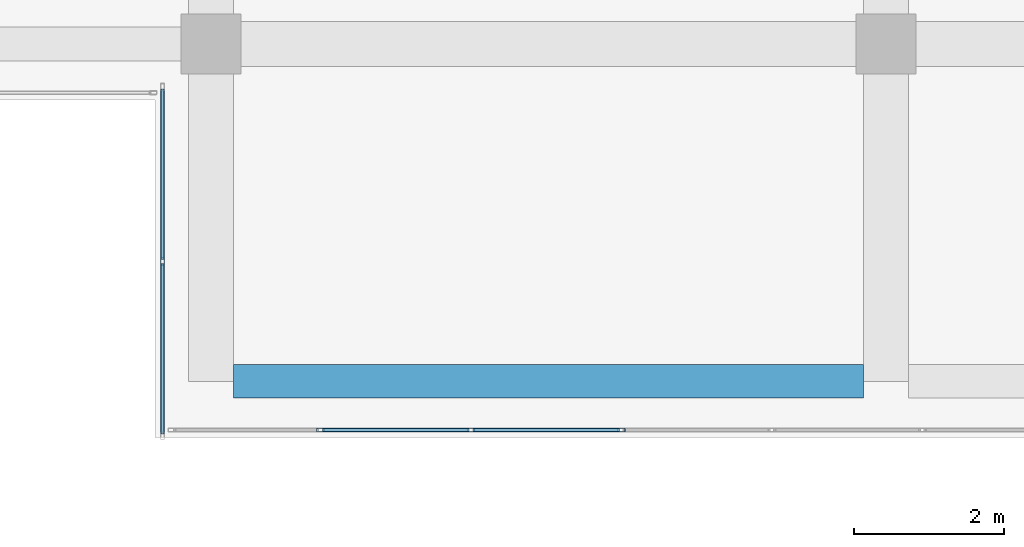
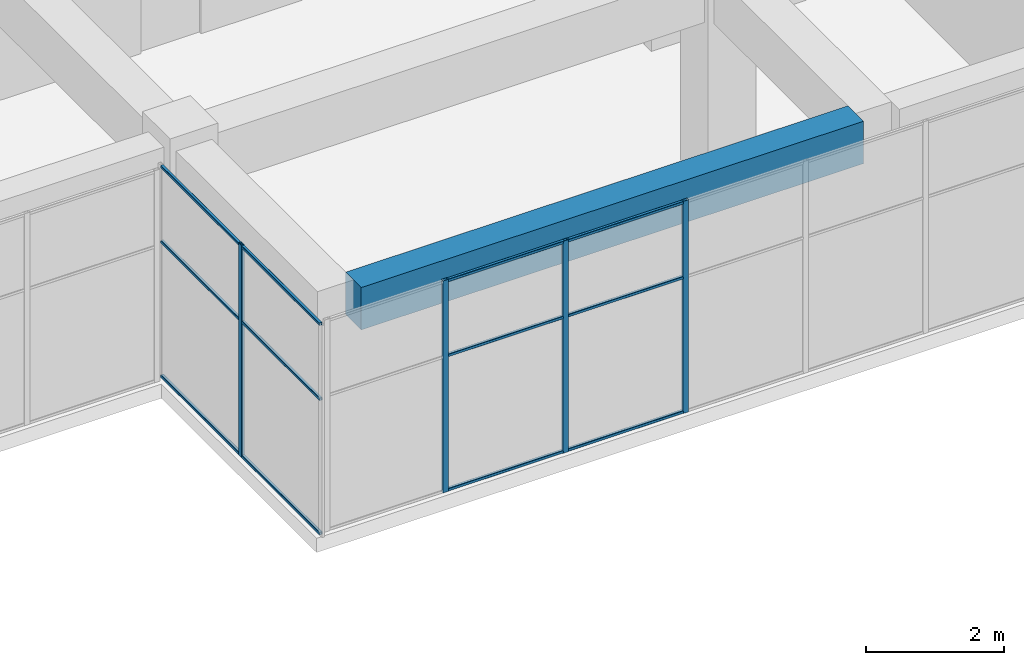
# One storey, part 13 of 65: 16 members, 1 beam, 2 elements without a shape of their own.
"""IFC4 building model written with IfcOpenShell, lengths in metres."""

from ifc_helpers import new_model, si_unit, direction, frame, origin, origin_2d, place, context, subcontext, project, spatial, rectangle, hollow_rectangle, extrude, material, layer, layer_set, material_profile, profile_set, type_object, element, aggregate, save


model = new_model("IFC4")

# Units and contexts
model_context = context("Model", 3, precision=1e-05, world=origin(), true_north=direction((0.0, 1.0)))
body_context = subcontext(model_context, "Body", "Model", "MODEL_VIEW")
ifc_project = project(units=[si_unit("LENGTHUNIT", "METRE"), si_unit("AREAUNIT", "SQUARE_METRE"), si_unit("VOLUMEUNIT", "CUBIC_METRE"), si_unit("PLANEANGLEUNIT", "RADIAN"), si_unit("MASSUNIT", "GRAM", prefix="KILO")], contexts=[model_context])

# Site, building, storey
site_placement = place(None, origin())
site = spatial("IfcSite", under=ifc_project, at=site_placement, CompositionType="ELEMENT")
building_placement = place(site_placement, origin())
building = spatial("IfcBuilding", under=site, at=building_placement, Name="Tuart Plaza Theatre", CompositionType="ELEMENT")
storey_placement = place(building_placement, frame((0.0, 0.0, 9.5)))
storey = spatial("IfcBuildingStorey", under=building, at=storey_placement, Name="L02", CompositionType="ELEMENT", Elevation=9.5)

# Beam
ifc_material_1 = material(Name="Concrete N40 (40 MPa)", Category="concrete")
ifc_material_profile_1 = material_profile(ifc_material_1, rectangle(XDim=0.449951171875, YDim=0.75, at=origin_2d()), Name="BEAM 450x750 Concrete N40 (40 MPa)")
ifc_profile_set_1 = profile_set([ifc_material_profile_1], Name="Concrete N40 (40 MPa)")
beam_type = type_object("IfcBeamType", Name="BEAM 450x750 Concrete N40 (40 MPa)", PredefinedType="BEAM", material=ifc_profile_set_1)
beam_placement = place(storey_placement, frame((123.300048828125, 51.5, 3.375), z_axis=(1.0, 0.0, 0.0), x_axis=(0.0, 1.0, 0.0)))
element("IfcBeam", 1, at=beam_placement, inside=storey, type_object=beam_type, Name="RB174", PredefinedType="BEAM", context=body_context, shape_type="SweptSolid", body=[
    extrude(rectangle(XDim=0.449951171875, YDim=0.75, at=origin_2d()), origin(), (0.0, 0.0, 1.0), 8.39990234375),
])

# Curtain wall, member
ifc_material_2 = material(Name="Aluminium and glass", Category="aluminium")
ifc_layer = layer(ifc_material_2, 0.10009765625)
ifc_layer_set = layer_set([ifc_layer], Name="CURTAIN WALL 2000 module")
curtain_wall_type = type_object("IfcCurtainWallType", Name="CURTAIN WALL 2000 module", PredefinedType="NOTDEFINED", material=ifc_layer_set)
curtain_wall_1_placement = place(storey_placement, origin())
curtain_wall_1 = element("IfcCurtainWall", 2, at=curtain_wall_1_placement, inside=storey, type_object=curtain_wall_type, Name="CW67", PredefinedType="NOTDEFINED")
ifc_material_3 = material(Name="Aluminium 6063-T5", Category="aluminium")
ifc_material_profile_2 = material_profile(ifc_material_3, hollow_rectangle(XDim=0.050048828125, YDim=0.10009765625, WallThickness=0.00390625, InnerFilletRadius=0.00390625, OuterFilletRadius=0.008056640625, at=origin_2d()), Name="RHS 100x50x4")
ifc_profile_set_2 = profile_set([ifc_material_profile_2], Name="Aluminium 6063-T5")
member_type_1 = type_object("IfcMemberType", Name="MULLION RHS 100x50x4", PredefinedType="MULLION", material=ifc_profile_set_2)
member_1_placement = place(storey_placement, frame((122.35009765625, 53.10009765625, 0.0), z_axis=(0.0, 0.0, 1.0), x_axis=(1.0, 0.0, 0.0)))
member_1 = element("IfcMember", 3, at=member_1_placement, type_object=member_type_1, Name="CW67 mullion 2", PredefinedType="MULLION", context=body_context, shape_type="SweptSolid", body=[
    extrude(hollow_rectangle(XDim=0.050048828125, YDim=0.10009765625, WallThickness=0.00390625, InnerFilletRadius=0.00390625, OuterFilletRadius=0.008056640625, at=origin_2d()), origin(), (0.0, 0.0, 1.0), 3.75),
])

# Curtain wall, members
curtain_wall_2_placement = place(storey_placement, origin())
curtain_wall_2 = element("IfcCurtainWall", 4, at=curtain_wall_2_placement, inside=storey, type_object=curtain_wall_type, Name="CW68", PredefinedType="NOTDEFINED")
member_2_placement = place(storey_placement, frame((124.45703125, 50.85009765625, 0.0), z_axis=(0.0, 0.0, 1.0), x_axis=(0.0, 1.0, 0.0)))
member_2 = element("IfcMember", 5, at=member_2_placement, type_object=member_type_1, Name="CW68 mullion 2", PredefinedType="MULLION", context=body_context, shape_type="SweptSolid", body=[
    extrude(hollow_rectangle(XDim=0.050048828125, YDim=0.10009765625, WallThickness=0.00390625, InnerFilletRadius=0.00390625, OuterFilletRadius=0.008056640625, at=origin_2d()), origin(), (0.0, 0.0, 1.0), 3.75),
])
member_3_placement = place(storey_placement, frame((126.46435546875, 50.85009765625, 0.0), z_axis=(0.0, 0.0, 1.0), x_axis=(0.0, 1.0, 0.0)))
member_3 = element("IfcMember", 6, at=member_3_placement, type_object=member_type_1, Name="CW68 mullion 3", PredefinedType="MULLION", context=body_context, shape_type="SweptSolid", body=[
    extrude(hollow_rectangle(XDim=0.050048828125, YDim=0.10009765625, WallThickness=0.00390625, InnerFilletRadius=0.00390625, OuterFilletRadius=0.008056640625, at=origin_2d()), origin(), (0.0, 0.0, 1.0), 3.75),
])
member_4_placement = place(storey_placement, frame((128.471435546875, 50.85009765625, 0.0), z_axis=(0.0, 0.0, 1.0), x_axis=(0.0, 1.0, 0.0)))
member_4 = element("IfcMember", 7, at=member_4_placement, type_object=member_type_1, Name="CW68 mullion 4", PredefinedType="MULLION", context=body_context, shape_type="SweptSolid", body=[
    extrude(hollow_rectangle(XDim=0.050048828125, YDim=0.10009765625, WallThickness=0.00390625, InnerFilletRadius=0.00390625, OuterFilletRadius=0.008056640625, at=origin_2d()), origin(), (0.0, 0.0, 1.0), 3.75),
])

# Member
ifc_material_4 = material(Name="Aluminium 6063-T5", Category="aluminium")
ifc_material_profile_3 = material_profile(ifc_material_4, hollow_rectangle(XDim=0.050048828125, YDim=0.050048828125, WallThickness=0.00390625, InnerFilletRadius=0.00390625, OuterFilletRadius=0.008056640625, at=origin_2d()), Name="RHS 50x50x4")
ifc_profile_set_3 = profile_set([ifc_material_profile_3], Name="Aluminium 6063-T5")
member_type_2 = type_object("IfcMemberType", Name="TRANSOM RHS 50x50x4", PredefinedType="USERDEFINED", material=ifc_profile_set_3)
member_5_placement = place(storey_placement, frame((122.35009765625, 55.39990234375, 0.02490234375), z_axis=(0.0, -1.0, 0.0), x_axis=(1.0, 0.0, 0.0)))
member_5 = element("IfcMember", 8, at=member_5_placement, type_object=member_type_2, Name="CW67 transom 1.1", ObjectType="TRANSOM", PredefinedType="USERDEFINED", context=body_context, shape_type="SweptSolid", body=[
    extrude(hollow_rectangle(XDim=0.050048828125, YDim=0.050048828125, WallThickness=0.00390625, InnerFilletRadius=0.00390625, OuterFilletRadius=0.008056640625, at=origin_2d()), origin(), (0.0, 0.0, 1.0), 2.27490234375),
])

member_6_placement = place(storey_placement, frame((122.35009765625, 55.39990234375, 2.39990234375), z_axis=(0.0, -1.0, 0.0), x_axis=(1.0, 0.0, 0.0)))
member_6 = element("IfcMember", 9, at=member_6_placement, type_object=member_type_2, Name="CW67 transom 1.2", ObjectType="TRANSOM", PredefinedType="USERDEFINED", context=body_context, shape_type="SweptSolid", body=[
    extrude(hollow_rectangle(XDim=0.050048828125, YDim=0.050048828125, WallThickness=0.00390625, InnerFilletRadius=0.00390625, OuterFilletRadius=0.008056640625, at=origin_2d()), origin(), (0.0, 0.0, 1.0), 2.27490234375),
])

member_7_placement = place(storey_placement, frame((122.35009765625, 55.39990234375, 3.72509765625), z_axis=(0.0, -1.0, 0.0), x_axis=(1.0, 0.0, 0.0)))
member_7 = element("IfcMember", 10, at=member_7_placement, type_object=member_type_2, Name="CW67 transom 1.3", ObjectType="TRANSOM", PredefinedType="USERDEFINED", context=body_context, shape_type="SweptSolid", body=[
    extrude(hollow_rectangle(XDim=0.050048828125, YDim=0.050048828125, WallThickness=0.00390625, InnerFilletRadius=0.00390625, OuterFilletRadius=0.008056640625, at=origin_2d()), origin(), (0.0, 0.0, 1.0), 2.27490234375),
])

member_8_placement = place(storey_placement, frame((122.35009765625, 53.074951171875, 0.02490234375), z_axis=(0.0, -1.0, 0.0), x_axis=(1.0, 0.0, 0.0)))
member_8 = element("IfcMember", 11, at=member_8_placement, type_object=member_type_2, Name="CW67 transom 2.1", ObjectType="TRANSOM", PredefinedType="USERDEFINED", context=body_context, shape_type="SweptSolid", body=[
    extrude(hollow_rectangle(XDim=0.050048828125, YDim=0.050048828125, WallThickness=0.00390625, InnerFilletRadius=0.00390625, OuterFilletRadius=0.008056640625, at=origin_2d()), origin(), (0.0, 0.0, 1.0), 2.27490234375),
])

member_9_placement = place(storey_placement, frame((122.35009765625, 53.074951171875, 2.39990234375), z_axis=(0.0, -1.0, 0.0), x_axis=(1.0, 0.0, 0.0)))
member_9 = element("IfcMember", 12, at=member_9_placement, type_object=member_type_2, Name="CW67 transom 2.2", ObjectType="TRANSOM", PredefinedType="USERDEFINED", context=body_context, shape_type="SweptSolid", body=[
    extrude(hollow_rectangle(XDim=0.050048828125, YDim=0.050048828125, WallThickness=0.00390625, InnerFilletRadius=0.00390625, OuterFilletRadius=0.008056640625, at=origin_2d()), origin(), (0.0, 0.0, 1.0), 2.27490234375),
])

member_10_placement = place(storey_placement, frame((122.35009765625, 53.074951171875, 3.72509765625), z_axis=(0.0, -1.0, 0.0), x_axis=(1.0, 0.0, 0.0)))
member_10 = element("IfcMember", 13, at=member_10_placement, type_object=member_type_2, Name="CW67 transom 2.3", ObjectType="TRANSOM", PredefinedType="USERDEFINED", context=body_context, shape_type="SweptSolid", body=[
    extrude(hollow_rectangle(XDim=0.050048828125, YDim=0.050048828125, WallThickness=0.00390625, InnerFilletRadius=0.00390625, OuterFilletRadius=0.008056640625, at=origin_2d()), origin(), (0.0, 0.0, 1.0), 2.27490234375),
])

aggregate(curtain_wall_1, [member_1, member_5, member_6, member_7, member_8, member_9, member_10])

member_11_placement = place(storey_placement, frame((124.482177734375, 50.85009765625, 0.02490234375), z_axis=(1.0, 0.0, 0.0), x_axis=(0.0, 1.0, 0.0)))
member_11 = element("IfcMember", 14, at=member_11_placement, type_object=member_type_2, Name="CW68 transom 2.1", ObjectType="TRANSOM", PredefinedType="USERDEFINED", context=body_context, shape_type="SweptSolid", body=[
    extrude(hollow_rectangle(XDim=0.050048828125, YDim=0.050048828125, WallThickness=0.00390625, InnerFilletRadius=0.00390625, OuterFilletRadius=0.008056640625, at=origin_2d()), origin(), (0.0, 0.0, 1.0), 1.95703125),
])

member_12_placement = place(storey_placement, frame((124.482177734375, 50.85009765625, 2.39990234375), z_axis=(1.0, 0.0, 0.0), x_axis=(0.0, 1.0, 0.0)))
member_12 = element("IfcMember", 15, at=member_12_placement, type_object=member_type_2, Name="CW68 transom 2.2", ObjectType="TRANSOM", PredefinedType="USERDEFINED", context=body_context, shape_type="SweptSolid", body=[
    extrude(hollow_rectangle(XDim=0.050048828125, YDim=0.050048828125, WallThickness=0.00390625, InnerFilletRadius=0.00390625, OuterFilletRadius=0.008056640625, at=origin_2d()), origin(), (0.0, 0.0, 1.0), 1.95703125),
])

member_13_placement = place(storey_placement, frame((124.482177734375, 50.85009765625, 3.72509765625), z_axis=(1.0, 0.0, 0.0), x_axis=(0.0, 1.0, 0.0)))
member_13 = element("IfcMember", 16, at=member_13_placement, type_object=member_type_2, Name="CW68 transom 2.3", ObjectType="TRANSOM", PredefinedType="USERDEFINED", context=body_context, shape_type="SweptSolid", body=[
    extrude(hollow_rectangle(XDim=0.050048828125, YDim=0.050048828125, WallThickness=0.00390625, InnerFilletRadius=0.00390625, OuterFilletRadius=0.008056640625, at=origin_2d()), origin(), (0.0, 0.0, 1.0), 1.95703125),
])

member_14_placement = place(storey_placement, frame((126.4892578125, 50.85009765625, 0.02490234375), z_axis=(1.0, 0.0, 0.0), x_axis=(0.0, 1.0, 0.0)))
member_14 = element("IfcMember", 17, at=member_14_placement, type_object=member_type_2, Name="CW68 transom 3.1", ObjectType="TRANSOM", PredefinedType="USERDEFINED", context=body_context, shape_type="SweptSolid", body=[
    extrude(hollow_rectangle(XDim=0.050048828125, YDim=0.050048828125, WallThickness=0.00390625, InnerFilletRadius=0.00390625, OuterFilletRadius=0.008056640625, at=origin_2d()), origin(), (0.0, 0.0, 1.0), 1.957275390625),
])

member_15_placement = place(storey_placement, frame((126.4892578125, 50.85009765625, 2.39990234375), z_axis=(1.0, 0.0, 0.0), x_axis=(0.0, 1.0, 0.0)))
member_15 = element("IfcMember", 18, at=member_15_placement, type_object=member_type_2, Name="CW68 transom 3.2", ObjectType="TRANSOM", PredefinedType="USERDEFINED", context=body_context, shape_type="SweptSolid", body=[
    extrude(hollow_rectangle(XDim=0.050048828125, YDim=0.050048828125, WallThickness=0.00390625, InnerFilletRadius=0.00390625, OuterFilletRadius=0.008056640625, at=origin_2d()), origin(), (0.0, 0.0, 1.0), 1.957275390625),
])

member_16_placement = place(storey_placement, frame((126.4892578125, 50.85009765625, 3.72509765625), z_axis=(1.0, 0.0, 0.0), x_axis=(0.0, 1.0, 0.0)))
member_16 = element("IfcMember", 19, at=member_16_placement, type_object=member_type_2, Name="CW68 transom 3.3", ObjectType="TRANSOM", PredefinedType="USERDEFINED", context=body_context, shape_type="SweptSolid", body=[
    extrude(hollow_rectangle(XDim=0.050048828125, YDim=0.050048828125, WallThickness=0.00390625, InnerFilletRadius=0.00390625, OuterFilletRadius=0.008056640625, at=origin_2d()), origin(), (0.0, 0.0, 1.0), 1.957275390625),
])

aggregate(curtain_wall_2, [member_2, member_3, member_4, member_11, member_12, member_13, member_14, member_15, member_16])

save(model, "model.ifc")
